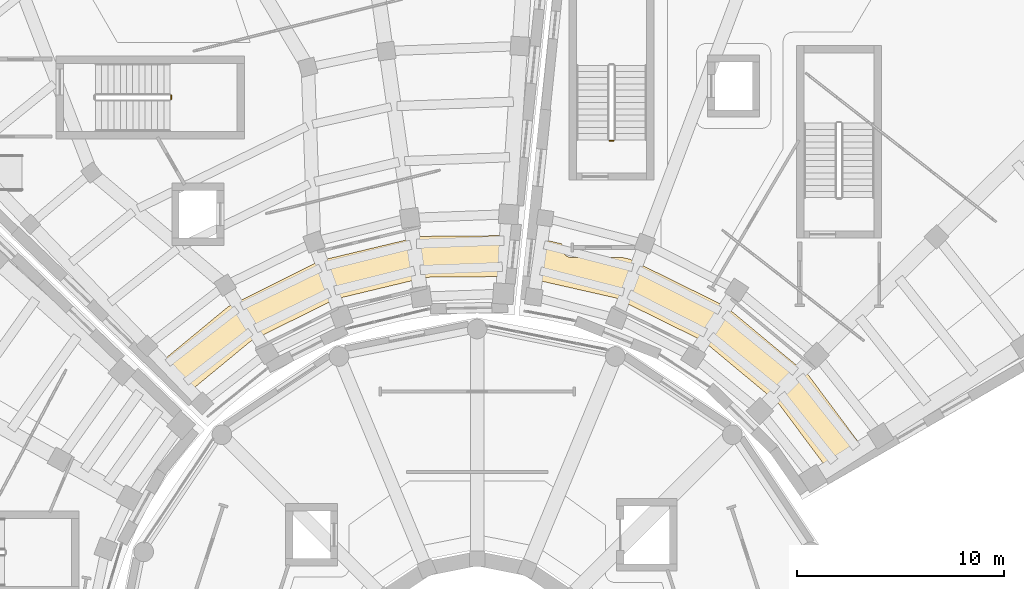
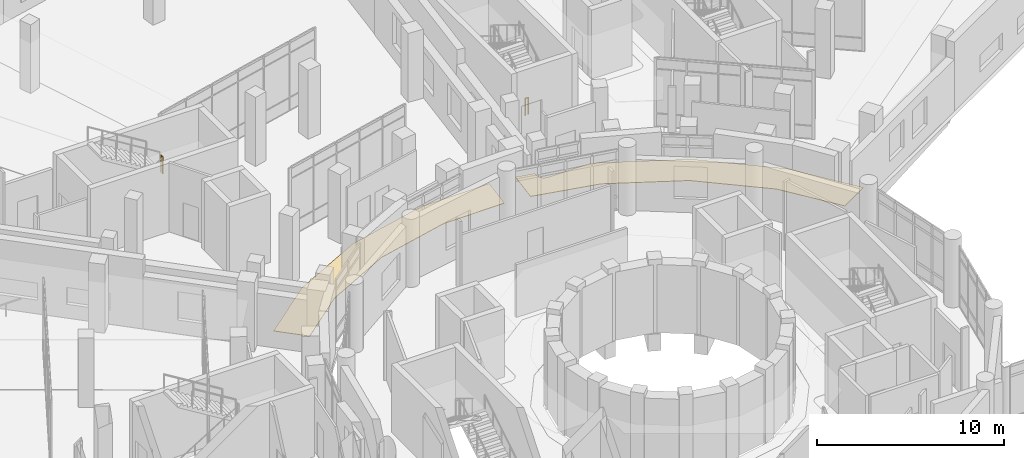
# One storey, part 83 of 89: 2 coverings, 2 railings.
"""IFC4 building model written with IfcOpenShell, lengths in metres."""

from ifc_helpers import new_model, si_unit, direction, frame, origin, origin_2d, place, context, subcontext, project, spatial, polyline, circle, outline, extrude, material, layer, layer_set, type_object, element, save


model = new_model("IFC4")

# Units and contexts
model_context = context("Model", 3, precision=1e-05, world=origin(), true_north=direction((0.0, 1.0)))
body_context = subcontext(model_context, "Body", "Model", "MODEL_VIEW")
ifc_project = project(units=[si_unit("LENGTHUNIT", "METRE"), si_unit("AREAUNIT", "SQUARE_METRE"), si_unit("VOLUMEUNIT", "CUBIC_METRE"), si_unit("PLANEANGLEUNIT", "RADIAN"), si_unit("MASSUNIT", "GRAM", prefix="KILO")], contexts=[model_context])

# Site, building, storey
site_placement = place(None, origin())
site = spatial("IfcSite", under=ifc_project, at=site_placement, CompositionType="ELEMENT")
building_placement = place(site_placement, origin())
building = spatial("IfcBuilding", under=site, at=building_placement, Name="Soyqirgoq Riverine Aquarium", CompositionType="ELEMENT")
storey_placement = place(building_placement, frame((0.0, 0.0, 5.39990234375)))
storey = spatial("IfcBuildingStorey", under=building, at=storey_placement, Name="L02", CompositionType="ELEMENT", Elevation=5.39990234375)

# Railings
ifc_material_1 = material(Name="Painted steel infill stair-well guardrail", Category="steel")
railing_type = type_object("IfcRailingType", Name="StairWellGuard_1120", PredefinedType="GUARDRAIL", material=ifc_material_1)
railing_1_placement = place(storey_placement, frame((41.199951171875, 85.550048828125, 2.400146484375)))
element("IfcRailing", 1, at=railing_1_placement, inside=storey, type_object=railing_type, Name="L02 ST-4 stair guard 2", PredefinedType="GUARDRAIL", context=body_context, shape_type="SweptSolid", body=[
    extrude(circle(Radius=0.02392578125, at=origin_2d()), frame((0.0, 0.0, 1.09619140625), z_axis=(0.0, 1.0, 0.0), x_axis=(-1.0, 0.0, 0.0)), (0.0, 0.0, 1.0), 0.199951171875),
    extrude(circle(Radius=0.02099609375, at=origin_2d()), origin(), (0.0, 0.0, 1.0), 1.072021484375),
    extrude(circle(Radius=0.02099609375, at=origin_2d()), frame((0.0, 0.199951171875, 0.0)), (0.0, 0.0, 1.0), 1.072021484375),
])
railing_2_placement = place(storey_placement, frame((62.60009765625, 83.550048828125, 0.0)))
element("IfcRailing", 2, at=railing_2_placement, inside=storey, type_object=railing_type, Name="L02 ST-5 stair guard 4", PredefinedType="GUARDRAIL", context=body_context, shape_type="SweptSolid", body=[
    extrude(circle(Radius=0.02392578125, at=origin_2d()), frame((0.0, 0.0, 1.09619140625), z_axis=(-1.0, 0.0, 0.0), x_axis=(0.0, -1.0, 0.0)), (0.0, 0.0, 1.0), 0.2001953125),
    extrude(circle(Radius=0.02099609375, at=origin_2d()), origin(), (0.0, 0.0, 1.0), 1.072021484375),
    extrude(circle(Radius=0.02099609375, at=origin_2d()), frame((-0.2001953125, 0.0, 0.0)), (0.0, 0.0, 1.0), 1.072021484375),
])

# Coverings
ifc_material_2 = material(Name="Polished Chirchiq river-pebble terrazzo flooring", Category="concrete")
ifc_layer = layer(ifc_material_2, 0.030029296875)
ifc_layer_set = layer_set([ifc_layer], Name="Polished Chirchiq river-pebble terrazzo flooring")
covering_type = type_object("IfcCoveringType", Name="TerrazzoFloorFinish_30", PredefinedType="FLOORING", material=ifc_layer_set)
covering_1_placement = place(storey_placement, origin())
element("IfcCovering", 3, at=covering_1_placement, inside=storey, type_object=covering_type, Name="V4 Gallery Circulation Corridor Floor Finish", PredefinedType="FLOORING", context=body_context, shape_type="SweptSolid", body=[
    extrude(outline(polyline([(57.3359375, 76.986083984375), (53.60107421875, 76.952880859375), (53.550048828125, 76.949951171875), (53.5, 76.94091796875), (49.174072265625, 75.903076171875), (49.125, 75.887939453125), (49.0791015625, 75.867919921875), (45.096923828125, 73.883056640625), (45.052978515625, 73.85693359375), (45.011962890625, 73.826904296875), (42.12890625, 71.450927734375), (40.695068359375, 72.8359375), (43.965087890625, 75.531982421875), (48.44189453125, 77.764892578125), (53.306884765625, 78.931884765625), (57.544921875, 78.968994140625), (57.3359375, 76.986083984375)])), origin(), (0.0, 0.0, 1.0), 0.030029296875),
])
covering_2_placement = place(storey_placement, origin())
element("IfcCovering", 4, at=covering_2_placement, inside=storey, type_object=covering_type, Name="V5 Gallery Circulation Corridor Floor Finish", PredefinedType="FLOORING", context=body_context, shape_type="SweptSolid", body=[
    extrude(outline(polyline([(59.055908203125, 78.806884765625), (60.110107421875, 78.568115234375), (60.110107421875, 78.360107421875), (60.112060546875, 78.31591796875), (60.118896484375, 78.27197265625), (60.12890625, 78.22900390625), (60.14404296875, 78.18798828125), (60.1630859375, 78.14794921875), (60.18603515625, 78.110107421875), (60.2119140625, 78.074951171875), (60.241943359375, 78.0419921875), (60.27490234375, 78.011962890625), (60.31005859375, 77.986083984375), (60.347900390625, 77.962890625), (60.387939453125, 77.944091796875), (60.428955078125, 77.928955078125), (60.471923828125, 77.9189453125), (60.51611328125, 77.912109375), (60.56005859375, 77.909912109375), (63.02001953125, 77.909912109375), (63.3759765625, 77.8291015625), (68.034912109375, 75.531982421875), (72.029052734375, 72.2099609375), (74.678955078125, 68.662109375), (72.951904296875, 67.6650390625), (70.614013671875, 70.794921875), (70.580078125, 70.8359375), (70.541015625, 70.8720703125), (66.989990234375, 73.825927734375), (66.947021484375, 73.85693359375), (66.90087890625, 73.883056640625), (62.758056640625, 75.926025390625), (62.7099609375, 75.947021484375), (62.658935546875, 75.9619140625), (58.847900390625, 76.823974609375), (59.055908203125, 78.806884765625)])), origin(), (0.0, 0.0, 1.0), 0.030029296875),
])

save(model, "model.ifc")
